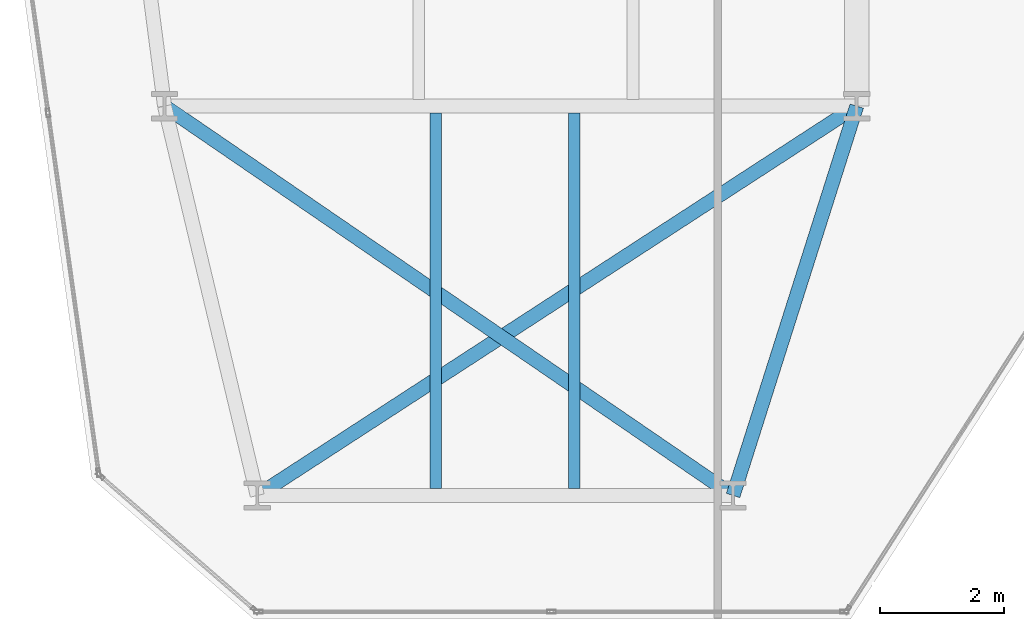
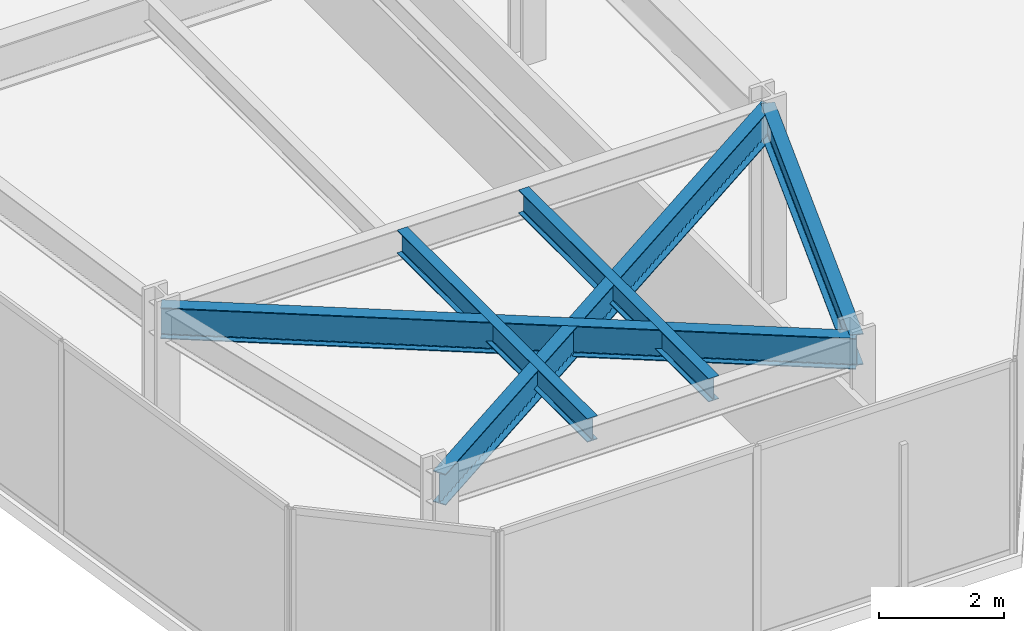
# One storey, part 4 of 26: 5 beams.
"""IFC4 building model written with IfcOpenShell, lengths in metres."""

import ifcopenshell
import ifcopenshell.guid

model = None  # the IFC model being written
_history = None  # IfcOwnerHistory: only IFC2X3 demands one
_inside = {}  # id of a spatial element -> (the spatial element, [elements in it])
_under = {}  # id of a project, library or spatial element -> (it, [spatial elements below it])
_declared = {}  # id of a project -> (the project, [libraries it declares])
_typed = {}  # id of a type object -> (the type object, [elements of that type])
_made_of = {}  # id of a material, layer set ... -> (it, [elements and type objects made of it])


def new_model(schema):
    """Start an empty IFC model of exactly this schema.

    Asked for "IFC4X3", IfcOpenShell would pick the latest addendum, in which some entities
    have other attributes; the version numbers below select the first issue.
    IFC2X3 requires an IfcOwnerHistory on every rooted entity: one is made here for all.
    """
    global model, _history
    if schema == "IFC4X3":
        model = ifcopenshell.file(schema_version=(4, 3, 0, 0))
    else:
        model = ifcopenshell.file(schema=schema)
    _inside.clear()
    _under.clear()
    _declared.clear()
    _typed.clear()
    _made_of.clear()
    _history = None
    if model.schema == "IFC2X3":
        org = make("IfcOrganization", Name="unknown")
        user = make(
            "IfcPersonAndOrganization",
            ThePerson=make("IfcPerson", FamilyName="unknown"),
            TheOrganization=org,
        )
        app = make(
            "IfcApplication",
            ApplicationDeveloper=org,
            Version="unknown",
            ApplicationFullName="unknown",
            ApplicationIdentifier="unknown",
        )
        _history = make(
            "IfcOwnerHistory",
            OwningUser=user,
            OwningApplication=app,
            ChangeAction="ADDED",
            CreationDate=0,
        )
    return model


def make(cls, **values):
    """One entity of the class cls with the attributes given. An attribute that is None is left unset."""
    return model.create_entity(
        cls, **{name: value for name, value in values.items() if value is not None}
    )


def rooted(cls, **values):
    """An entity with a GlobalId (a new one), such as an element, a storey or a relation."""
    return make(cls, GlobalId=ifcopenshell.guid.new(), OwnerHistory=_history, **values)


def si_unit(unit_type, name, prefix=None):
    """IfcSIUnit, for example si_unit("LENGTHUNIT", "METRE", prefix="MILLI")."""
    return make("IfcSIUnit", UnitType=unit_type, Prefix=prefix, Name=name)


def assignment(units):
    """IfcUnitAssignment: the units of a project."""
    return None if units is None else make("IfcUnitAssignment", Units=units)


def point(xyz):
    """IfcCartesianPoint."""
    return None if xyz is None else make("IfcCartesianPoint", Coordinates=xyz)


def direction(xyz):
    """IfcDirection."""
    return None if xyz is None else make("IfcDirection", DirectionRatios=xyz)


def frame(location, z_axis=None, x_axis=None):
    """IfcAxis2Placement3D, a coordinate frame: its origin and axes. An axis left out is left unset."""
    return make(
        "IfcAxis2Placement3D",
        Location=point(location),
        Axis=direction(z_axis),
        RefDirection=direction(x_axis),
    )


def frame_2d(location, x_axis=None):
    """IfcAxis2Placement2D, a coordinate frame in the plane: its origin and x axis."""
    return make(
        "IfcAxis2Placement2D", Location=point(location), RefDirection=direction(x_axis)
    )


def origin():
    """The frame at (0, 0, 0) with its axes left unset."""
    return frame((0.0, 0.0, 0.0))


def origin_2d():
    """The frame at (0, 0) in the plane with its x axis left unset."""
    return frame_2d((0.0, 0.0))


def place(relative_to, where):
    """IfcLocalPlacement: puts the frame where relative to a parent placement (None: the world)."""
    return make(
        "IfcLocalPlacement", PlacementRelTo=relative_to, RelativePlacement=where
    )


def context(
    kind, dimensions, precision=None, world=None, true_north=None, identifier=None
):
    """IfcGeometricRepresentationContext, for example the 3D "Model" context."""
    return make(
        "IfcGeometricRepresentationContext",
        ContextIdentifier=identifier,
        ContextType=kind,
        CoordinateSpaceDimension=dimensions,
        Precision=precision,
        WorldCoordinateSystem=world,
        TrueNorth=true_north,
    )


def subcontext(parent, identifier, kind, view, scale=None):
    """IfcGeometricRepresentationSubContext, for example "Body" below "Model"."""
    return make(
        "IfcGeometricRepresentationSubContext",
        ContextIdentifier=identifier,
        ContextType=kind,
        ParentContext=parent,
        TargetScale=scale,
        TargetView=view,
    )


def project(units=None, contexts=None):
    """IfcProject with its units and contexts."""
    return rooted(
        "IfcProject",
        Name="project",
        RepresentationContexts=contexts,
        UnitsInContext=assignment(units),
    )


def spatial(cls, under=None, at=None, **own):
    """A site, building, storey or space (cls), placed at a placement, below another one or the project."""
    s = rooted(cls, ObjectPlacement=at, **own)
    if under is not None:
        _under.setdefault(under.id(), (under, []))[1].append(s)
    return s


def profile(cls, at=None, kind="AREA", **sizes):
    """A parametric profile (cls). Its sizes go by their IFC names, for example OverallWidth=200.0."""
    return make(cls, ProfileType=kind, Position=at, **sizes)


def i_section(**sizes):
    """IfcIShapeProfileDef."""
    return profile("IfcIShapeProfileDef", **sizes)


def extrude(swept, where, along, depth):
    """IfcExtrudedAreaSolid: the profile swept, set in the frame where, extruded along a direction by depth."""
    return make(
        "IfcExtrudedAreaSolid",
        SweptArea=swept,
        Position=where,
        ExtrudedDirection=direction(along),
        Depth=depth,
    )


def shape(context_of_items, identifier, shape_type, items):
    """IfcShapeRepresentation: the items that make up one representation, for example the "Body"."""
    return make(
        "IfcShapeRepresentation",
        ContextOfItems=context_of_items,
        RepresentationIdentifier=identifier,
        RepresentationType=shape_type,
        Items=items,
    )


def material(Name=None, Category=None):
    """IfcMaterial."""
    return make("IfcMaterial", Name=Name, Category=Category)


def material_profile(
    of_material, cross_section, Name=None, Category=None, Priority=None
):
    """IfcMaterialProfile: a cross section and its material."""
    return make(
        "IfcMaterialProfile",
        Name=Name,
        Material=of_material,
        Profile=cross_section,
        Priority=Priority,
        Category=Category,
    )


def profile_set(profiles, Name=None, composite=None):
    """IfcMaterialProfileSet."""
    return make(
        "IfcMaterialProfileSet",
        Name=Name,
        MaterialProfiles=profiles,
        CompositeProfile=composite,
    )


def made_of(thing, what):
    """Note that an element or type object is made of a material, layer set ...; save() writes the relation."""
    if what is not None:
        _made_of.setdefault(what.id(), (what, []))[1].append(thing)
    return thing


def type_object(cls, material=None, **own):
    """A type object (cls), such as IfcWallType, which elements share."""
    return made_of(rooted(cls, **own), material)


def element(
    cls,
    number,
    at=None,
    inside=None,
    cuts=None,
    type_object=None,
    material=None,
    context=None,
    identifier="Body",
    shape_type=None,
    held_by="IfcProductDefinitionShape",
    body=None,
    shapes=None,
    **own,
):
    """One element of the class cls, such as IfcWall. Its Tag is "e" and its number.

    at: its placement. inside: the storey or other place that contains it. cuts: it is an
    opening in that element (IfcRelVoidsElement). A single representation is given by context,
    identifier, shape_type and body (its items); several are given by shapes. held_by: the class
    of the entity that holds the representations. save() writes the other relations.
    """
    e = rooted(cls, Tag="e%d" % number, ObjectPlacement=at, **own)
    if body is not None:
        shapes = [shape(context, identifier, shape_type, body)]
    if shapes is not None:
        e.Representation = make(held_by, Representations=shapes)
    if inside is not None:
        _inside.setdefault(inside.id(), (inside, []))[1].append(e)
    if cuts is not None:
        rooted(
            "IfcRelVoidsElement", RelatingBuildingElement=cuts, RelatedOpeningElement=e
        )
    if type_object is not None:
        _typed.setdefault(type_object.id(), (type_object, []))[1].append(e)
    return made_of(e, material)


def aggregate(whole, parts):
    """IfcRelAggregates: a whole, such as a stair, and the parts it consists of."""
    return rooted("IfcRelAggregates", RelatingObject=whole, RelatedObjects=parts)


def save(model, path):
    """Write the relations noted so far, then the file.

    IfcRelAggregates (storeys below a building ...), IfcRelContainedInSpatialStructure (elements
    in a storey), IfcRelDefinesByType, IfcRelAssociatesMaterial and IfcRelDeclares: one each for
    every whole, place, type object, material and project.
    """
    for whole, parts in _under.values():
        aggregate(whole, parts)
    for where, things in _inside.values():
        rooted(
            "IfcRelContainedInSpatialStructure",
            RelatedElements=things,
            RelatingStructure=where,
        )
    for kind, things in _typed.values():
        rooted("IfcRelDefinesByType", RelatedObjects=things, RelatingType=kind)
    for what, things in _made_of.values():
        rooted("IfcRelAssociatesMaterial", RelatedObjects=things, RelatingMaterial=what)
    for by, libraries in _declared.values():
        rooted("IfcRelDeclares", RelatingContext=by, RelatedDefinitions=libraries)
    model.write(path)


model = new_model("IFC4")

# Units and contexts
model_context = context("Model", 3, precision=1e-05, world=origin(), true_north=direction((0.0, 1.0)))
body_context = subcontext(model_context, "Body", "Model", "MODEL_VIEW")
ifc_project = project(units=[si_unit("LENGTHUNIT", "METRE"), si_unit("AREAUNIT", "SQUARE_METRE"), si_unit("VOLUMEUNIT", "CUBIC_METRE"), si_unit("PLANEANGLEUNIT", "RADIAN"), si_unit("MASSUNIT", "GRAM", prefix="KILO")], contexts=[model_context])

# Site, building, storey
site_placement = place(None, origin())
site = spatial("IfcSite", under=ifc_project, at=site_placement, CompositionType="ELEMENT")
building_placement = place(site_placement, origin())
building = spatial("IfcBuilding", under=site, at=building_placement, Name="Kravanh Interchange Tower", CompositionType="ELEMENT")
storey_placement = place(building_placement, frame((0.0, 0.0, 108.0)))
storey = spatial("IfcBuildingStorey", under=building, at=storey_placement, Name="L25", CompositionType="ELEMENT", Elevation=108.0)

# Beams
ifc_material_1 = material(Name="Structural Steel S355", Category="steel")
ifc_material_profile_1 = material_profile(ifc_material_1, i_section(OverallWidth=0.18994140625, OverallDepth=0.45703125, WebThickness=0.009033203125, FlangeThickness=0.014404296875, FilletRadius=0.01806640625, at=origin_2d()), Name="W18X50")
ifc_profile_set_1 = profile_set([ifc_material_profile_1], Name="Structural Steel S355")
beam_type_1 = type_object("IfcBeamType", Name="Floor Joist W18X50 Structural Steel S355", PredefinedType="JOIST", material=ifc_profile_set_1)
for number, where, z_axis, x_axis, name in (
    (1, (20.389892578125, 8.30908203125, 3.521484375), (0.0, 1.0, 0.0), (-1.0, 0.0, 0.0), "L25 Secondary Floor Joist 1"),
    (2, (22.6298828125, 8.30908203125, 3.521484375), (0.0, 1.0, 0.0), (-1.0, 0.0, 0.0), "L25 Secondary Floor Joist 2"),
):
    element("IfcBeam", number, at=place(storey_placement, frame(where, z_axis=z_axis, x_axis=x_axis)), inside=storey, type_object=beam_type_1, Name=name, PredefinedType="JOIST", context=body_context, shape_type="SweptSolid", body=[
        extrude(i_section(OverallWidth=0.18994140625, OverallDepth=0.45703125, WebThickness=0.009033203125, FlangeThickness=0.014404296875, FilletRadius=0.01806640625, at=origin_2d()), origin(), (0.0, 0.0, 1.0), 6.08203125),
    ])
ifc_material_2 = material(Name="Structural Steel S355", Category="steel")
ifc_material_profile_2 = material_profile(ifc_material_2, i_section(OverallWidth=0.22802734375, OverallDepth=0.60791015625, WebThickness=0.01123046875, FlangeThickness=0.017333984375, FilletRadius=0.02197265625, at=origin_2d()), Name="W24X76")
ifc_profile_set_2 = profile_set([ifc_material_profile_2], Name="Structural Steel S355")
beam_type_2 = type_object("IfcBeamType", Name="Floor Spandrel W24X76 Structural Steel S355", PredefinedType="SPANDREL", material=ifc_profile_set_2)
beam_1_placement = place(storey_placement, frame((17.5, 8.199951171875, 3.446044921875), z_axis=(0.838637911458, 0.544689318295, 0.0), x_axis=(-0.544689318295, 0.838637911458, 0.0)))
element("IfcBeam", 3, at=beam_1_placement, inside=storey, type_object=beam_type_2, Name="L25 Perimeter Spandrel 36", PredefinedType="SPANDREL", context=body_context, shape_type="SweptSolid", body=[
    extrude(i_section(OverallWidth=0.22802734375, OverallDepth=0.60791015625, WebThickness=0.01123046875, FlangeThickness=0.017333984375, FilletRadius=0.02197265625, at=origin_2d()), origin(), (0.0, 0.0, 1.0), 11.56640625),
])
beam_2_placement = place(storey_placement, frame((25.199951171875, 8.199951171875, 3.446044921875), z_axis=(0.30257700201, 0.953124943465, 0.0), x_axis=(-0.953124943465, 0.30257700201, 0.0)))
element("IfcBeam", 4, at=beam_2_placement, inside=storey, type_object=beam_type_2, Name="L25 Perimeter Spandrel 76", PredefinedType="SPANDREL", context=body_context, shape_type="SweptSolid", body=[
    extrude(i_section(OverallWidth=0.22802734375, OverallDepth=0.60791015625, WebThickness=0.01123046875, FlangeThickness=0.017333984375, FilletRadius=0.02197265625, at=origin_2d()), origin(), (0.0, 0.0, 1.0), 6.60986328125),
])
beam_3_placement = place(storey_placement, frame((25.199951171875, 8.199951171875, 3.446044921875), z_axis=(-0.825083781107, 0.565010401811, 0.0), x_axis=(-0.565010401811, -0.825083781107, 0.0)))
element("IfcBeam", 5, at=beam_3_placement, inside=storey, type_object=beam_type_2, Name="L25 Perimeter Spandrel 77", PredefinedType="SPANDREL", context=body_context, shape_type="SweptSolid", body=[
    extrude(i_section(OverallWidth=0.22802734375, OverallDepth=0.60791015625, WebThickness=0.01123046875, FlangeThickness=0.017333984375, FilletRadius=0.02197265625, at=origin_2d()), origin(), (0.0, 0.0, 1.0), 11.150390625),
])

save(model, "model.ifc")
